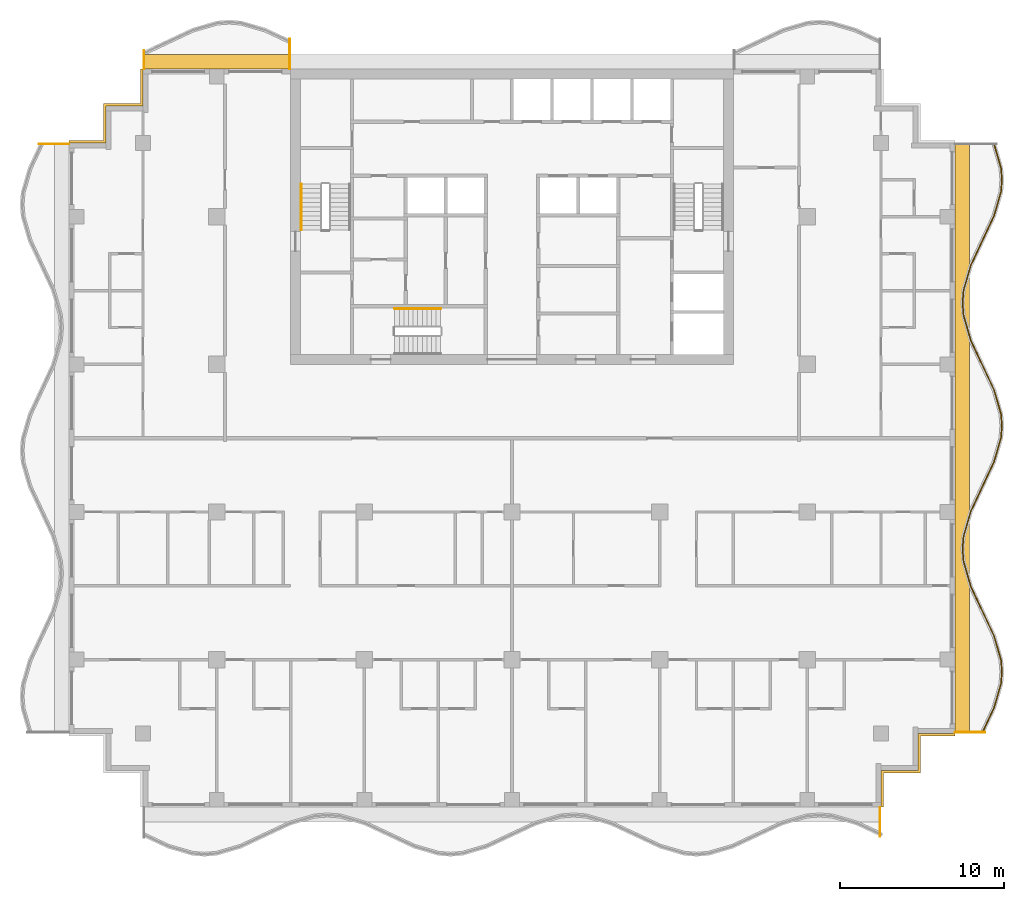
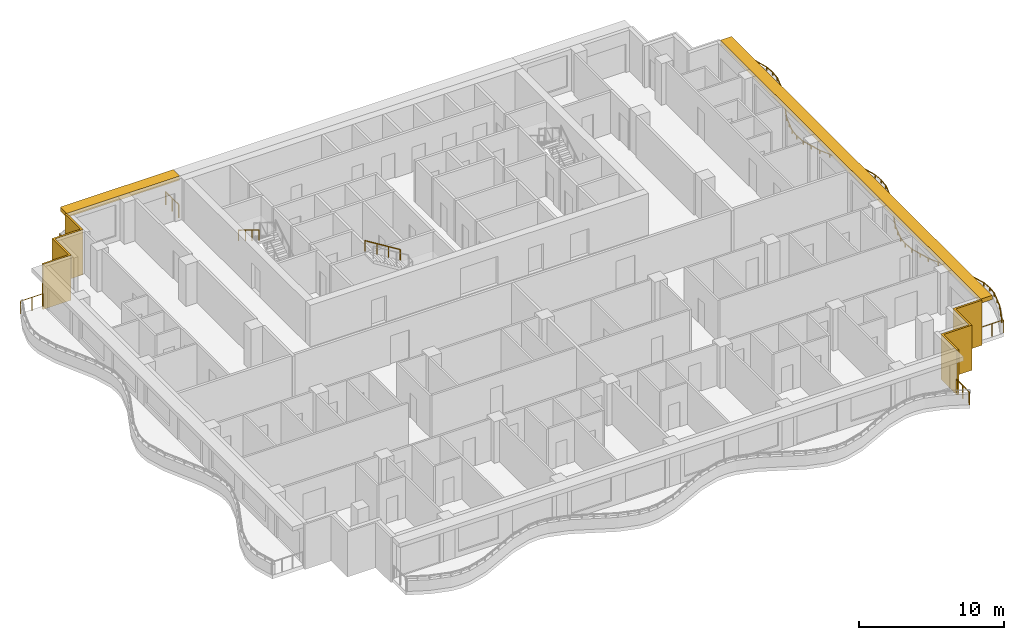
# One storey, part 10 of 11: 8 railings, 4 shading devices.
"""IFC4 building model written with IfcOpenShell, lengths in metres."""

from ifc_helpers import new_model, si_unit, direction, frame, origin, origin_2d, place, context, subcontext, project, spatial, polyline, rectangle, circle, outline, extrude, material, layer, layer_set, type_object, element, save


model = new_model("IFC4")

# Units and contexts
model_context = context("Model", 3, precision=1e-05, world=origin(), true_north=direction((0.0, 1.0)))
body_context = subcontext(model_context, "Body", "Model", "MODEL_VIEW")
ifc_project = project(units=[si_unit("LENGTHUNIT", "METRE"), si_unit("AREAUNIT", "SQUARE_METRE"), si_unit("VOLUMEUNIT", "CUBIC_METRE"), si_unit("PLANEANGLEUNIT", "RADIAN"), si_unit("MASSUNIT", "GRAM", prefix="KILO")], contexts=[model_context])

# Site, building, storey
site_placement = place(None, origin())
site = spatial("IfcSite", under=ifc_project, at=site_placement, CompositionType="ELEMENT")
building_placement = place(site_placement, origin())
building = spatial("IfcBuilding", under=site, at=building_placement, Name="Orbiselva Terraces", CompositionType="ELEMENT")
storey_placement = place(building_placement, frame((0.0, 0.0, 242.6)))
storey = spatial("IfcBuildingStorey", under=building, at=storey_placement, Name="L61", CompositionType="ELEMENT", Elevation=242.6)

# Railings
ifc_material_1 = material(Name="Stainless steel", Category="steel")
railing_type_1 = type_object("IfcRailingType", Name="CORE-HANDRAIL-900", PredefinedType="HANDRAIL", material=ifc_material_1)
railing_1_placement = place(storey_placement, frame((-12.85, 15.5, 2.072727)))
element("IfcRailing", 1, at=railing_1_placement, inside=storey, type_object=railing_type_1, Name="L61 S1 stair handrail 2", PredefinedType="HANDRAIL", context=body_context, shape_type="SweptSolid", body=[
    extrude(circle(Radius=0.024, at=origin_2d()), frame((0.0, 0.0, 0.876), z_axis=(0.0, -0.851088519012, 0.52502222125), x_axis=(1.0, 0.0, 0.0)), (0.0, 0.0, 1.0), 3.289905),
    extrude(circle(Radius=0.021, at=origin_2d()), origin(), (0.0, 0.0, 1.0), 0.852),
    extrude(circle(Radius=0.021, at=origin_2d()), frame((0.0, -0.933333, 0.575758)), (0.0, 0.0, 1.0), 0.852),
    extrude(circle(Radius=0.021, at=origin_2d()), frame((0.0, -1.866667, 1.151515)), (0.0, 0.0, 1.0), 0.852),
    extrude(circle(Radius=0.021, at=origin_2d()), frame((0.0, -2.8, 1.727273)), (0.0, 0.0, 1.0), 0.852),
])
railing_2_placement = place(storey_placement, frame((-4.35, 7.9, 2.072727)))
element("IfcRailing", 2, at=railing_2_placement, inside=storey, type_object=railing_type_1, Name="L61 S3 stair handrail 2", PredefinedType="HANDRAIL", context=body_context, shape_type="SweptSolid", body=[
    extrude(circle(Radius=0.024, at=origin_2d()), frame((0.0, 0.0, 0.876), z_axis=(-0.851088519012, 0.0, 0.52502222125), x_axis=(0.0, -1.0, 0.0)), (0.0, 0.0, 1.0), 3.289905),
    extrude(circle(Radius=0.021, at=origin_2d()), origin(), (0.0, 0.0, 1.0), 0.852),
    extrude(circle(Radius=0.021, at=origin_2d()), frame((-0.933333, 0.0, 0.575758)), (0.0, 0.0, 1.0), 0.852),
    extrude(circle(Radius=0.021, at=origin_2d()), frame((-1.866667, 0.0, 1.151515)), (0.0, 0.0, 1.0), 0.852),
    extrude(circle(Radius=0.021, at=origin_2d()), frame((-2.8, 0.0, 1.727273)), (0.0, 0.0, 1.0), 0.852),
])
ifc_material_2 = material(Name="Bonded two-ply safety glass balustrade, stainless steel posts", Category="steel")
railing_type_2 = type_object("IfcRailingType", Name="ENV-BALUSTRADE-1200", PredefinedType="BALUSTRADE", material=ifc_material_2)
railing_3_placement = place(storey_placement, frame((28.686882, -17.946809, 0.9)))
element("IfcRailing", 3, at=railing_3_placement, inside=storey, type_object=railing_type_2, Name="Balcony balustrade L61 E", PredefinedType="BALUSTRADE", context=body_context, shape_type="SweptSolid", body=[
    extrude(outline(polyline([(0.028868, 0.0), (0.014434, 0.025), (-0.014434, 0.025), (-0.028868, 0.0), (-0.014434, -0.025), (0.014434, -0.025), (0.028868, 0.0)])), frame((0.0, 0.0, 0.275), z_axis=(0.425529912322, 0.904944359461, 0.0), x_axis=(-0.904944359461, 0.425529912322, 0.0)), (0.0, 0.0, 1.0), 1.647746),
    extrude(outline(polyline([(0.028868, 0.0), (0.014434, 0.025), (-0.014434, 0.025), (-0.028868, 0.0), (-0.014434, -0.025), (0.014434, -0.025), (0.028868, 0.0)])), frame((0.701165, 1.491118, 0.275), z_axis=(0.279071528957, 0.960270317007, 0.0), x_axis=(-0.960270317007, 0.279071528957, 0.0)), (0.0, 0.0, 1.0), 1.539408),
    extrude(outline(polyline([(0.028868, 0.0), (0.014434, 0.025), (-0.014434, 0.025), (-0.028868, 0.0), (-0.014434, -0.025), (0.014434, -0.025), (0.028868, 0.0)])), frame((1.13077, 2.969366, 0.275), z_axis=(0.078069536776, 0.996947916106, 0.0), x_axis=(-0.996947916106, 0.078069536776, 0.0)), (0.0, 0.0, 1.0), 0.72967),
    extrude(outline(polyline([(0.028868, 0.0), (0.014434, 0.025), (-0.014434, 0.025), (-0.028868, 0.0), (-0.014434, -0.025), (0.014434, -0.025), (0.028868, 0.0)])), frame((1.187735, 3.696809, 0.275), z_axis=(-0.078069536776, 0.996947916106, 0.0), x_axis=(-0.996947916106, -0.078069536776, 0.0)), (0.0, 0.0, 1.0), 0.72967),
    extrude(outline(polyline([(0.028868, 0.0), (0.014434, 0.025), (-0.014434, 0.025), (-0.028868, 0.0), (-0.014434, -0.025), (0.014434, -0.025), (0.028868, 0.0)])), frame((1.13077, 4.424252, 0.275), z_axis=(-0.279071528957, 0.960270317007, 0.0), x_axis=(-0.960270317007, -0.279071528957, 0.0)), (0.0, 0.0, 1.0), 1.539408),
    extrude(outline(polyline([(0.028868, 0.0), (0.014434, 0.025), (-0.014434, 0.025), (-0.028868, 0.0), (-0.014434, -0.025), (0.014434, -0.025), (0.028868, 0.0)])), frame((0.701165, 5.9025, 0.275), z_axis=(-0.425529912322, 0.904944359461, 0.0), x_axis=(-0.904944359461, -0.425529912322, 0.0)), (0.0, 0.0, 1.0), 1.647746),
    extrude(outline(polyline([(0.028868, 0.0), (0.014434, 0.025), (-0.014434, 0.025), (-0.028868, 0.0), (-0.014434, -0.025), (0.014434, -0.025), (0.028868, 0.0)])), frame((0.0, 7.393618, 0.275), z_axis=(-0.425530342069, 0.904944157382, 0.0), x_axis=(-0.904944157382, -0.425530342069, 0.0)), (0.0, 0.0, 1.0), 1.667376),
    extrude(outline(polyline([(0.028868, 0.0), (0.014434, 0.025), (-0.014434, 0.025), (-0.028868, 0.0), (-0.014434, -0.025), (0.014434, -0.025), (0.028868, 0.0)])), frame((-0.709519, 8.9025, 0.275), z_axis=(-0.279070928786, 0.960270491427, 0.0), x_axis=(-0.960270491427, -0.279070928786, 0.0)), (0.0, 0.0, 1.0), 1.584712),
    extrude(outline(polyline([(0.028868, 0.0), (0.014434, 0.025), (-0.014434, 0.025), (-0.028868, 0.0), (-0.014434, -0.025), (0.014434, -0.025), (0.028868, 0.0)])), frame((-1.151766, 10.424252, 0.275), z_axis=(-0.078071061106, 0.996947796737, 0.0), x_axis=(-0.996947796737, -0.078071061106, 0.0)), (0.0, 0.0, 1.0), 0.774922),
    extrude(outline(polyline([(0.028868, 0.0), (0.014434, 0.025), (-0.014434, 0.025), (-0.028868, 0.0), (-0.014434, -0.025), (0.014434, -0.025), (0.028868, 0.0)])), frame((-1.212265, 11.196809, 0.275), z_axis=(0.078071061106, 0.996947796737, 0.0), x_axis=(-0.996947796737, 0.078071061106, 0.0)), (0.0, 0.0, 1.0), 0.774922),
    extrude(outline(polyline([(0.028868, 0.0), (0.014434, 0.025), (-0.014434, 0.025), (-0.028868, 0.0), (-0.014434, -0.025), (0.014434, -0.025), (0.028868, 0.0)])), frame((-1.151766, 11.969366, 0.275), z_axis=(0.279070928786, 0.960270491427, 0.0), x_axis=(-0.960270491427, 0.279070928786, 0.0)), (0.0, 0.0, 1.0), 1.584712),
    extrude(outline(polyline([(0.028868, 0.0), (0.014434, 0.025), (-0.014434, 0.025), (-0.028868, 0.0), (-0.014434, -0.025), (0.014434, -0.025), (0.028868, 0.0)])), frame((-0.709519, 13.491118, 0.275), z_axis=(0.425530342069, 0.904944157382, 0.0), x_axis=(-0.904944157382, 0.425530342069, 0.0)), (0.0, 0.0, 1.0), 1.667376),
    extrude(outline(polyline([(0.028868, 0.0), (0.014434, 0.025), (-0.014434, 0.025), (-0.028868, 0.0), (-0.014434, -0.025), (0.014434, -0.025), (0.028868, 0.0)])), frame((0.0, 15.0, 0.275), z_axis=(0.425529912322, 0.904944359461, 0.0), x_axis=(-0.904944359461, 0.425529912322, 0.0)), (0.0, 0.0, 1.0), 1.647746),
    extrude(outline(polyline([(0.028868, 0.0), (0.014434, 0.025), (-0.014434, 0.025), (-0.028868, 0.0), (-0.014434, -0.025), (0.014434, -0.025), (0.028868, 0.0)])), frame((0.701165, 16.491118, 0.275), z_axis=(0.279071528957, 0.960270317007, 0.0), x_axis=(-0.960270317007, 0.279071528957, 0.0)), (0.0, 0.0, 1.0), 1.539408),
    extrude(outline(polyline([(0.028868, 0.0), (0.014434, 0.025), (-0.014434, 0.025), (-0.028868, 0.0), (-0.014434, -0.025), (0.014434, -0.025), (0.028868, 0.0)])), frame((1.13077, 17.969366, 0.275), z_axis=(0.078069536776, 0.996947916106, 0.0), x_axis=(-0.996947916106, 0.078069536776, 0.0)), (0.0, 0.0, 1.0), 0.72967),
    extrude(outline(polyline([(0.028868, 0.0), (0.014434, 0.025), (-0.014434, 0.025), (-0.028868, 0.0), (-0.014434, -0.025), (0.014434, -0.025), (0.028868, 0.0)])), frame((1.187735, 18.696809, 0.275), z_axis=(-0.078069536776, 0.996947916106, 0.0), x_axis=(-0.996947916106, -0.078069536776, 0.0)), (0.0, 0.0, 1.0), 0.72967),
    extrude(outline(polyline([(0.028868, 0.0), (0.014434, 0.025), (-0.014434, 0.025), (-0.028868, 0.0), (-0.014434, -0.025), (0.014434, -0.025), (0.028868, 0.0)])), frame((1.13077, 19.424252, 0.275), z_axis=(-0.279071528957, 0.960270317007, 0.0), x_axis=(-0.960270317007, -0.279071528957, 0.0)), (0.0, 0.0, 1.0), 1.539408),
    extrude(outline(polyline([(0.028868, 0.0), (0.014434, 0.025), (-0.014434, 0.025), (-0.028868, 0.0), (-0.014434, -0.025), (0.014434, -0.025), (0.028868, 0.0)])), frame((0.701165, 20.9025, 0.275), z_axis=(-0.425529912322, 0.904944359461, 0.0), x_axis=(-0.904944359461, -0.425529912322, 0.0)), (0.0, 0.0, 1.0), 1.647746),
    extrude(outline(polyline([(0.028868, 0.0), (0.014434, 0.025), (-0.014434, 0.025), (-0.028868, 0.0), (-0.014434, -0.025), (0.014434, -0.025), (0.028868, 0.0)])), frame((0.0, 22.393618, 0.275), z_axis=(-0.425530342069, 0.904944157382, 0.0), x_axis=(-0.904944157382, -0.425530342069, 0.0)), (0.0, 0.0, 1.0), 1.667376),
    extrude(outline(polyline([(0.028868, 0.0), (0.014434, 0.025), (-0.014434, 0.025), (-0.028868, 0.0), (-0.014434, -0.025), (0.014434, -0.025), (0.028868, 0.0)])), frame((-0.709519, 23.9025, 0.275), z_axis=(-0.279070928786, 0.960270491427, 0.0), x_axis=(-0.960270491427, -0.279070928786, 0.0)), (0.0, 0.0, 1.0), 1.584712),
    extrude(outline(polyline([(0.028868, 0.0), (0.014434, 0.025), (-0.014434, 0.025), (-0.028868, 0.0), (-0.014434, -0.025), (0.014434, -0.025), (0.028868, 0.0)])), frame((-1.151766, 25.424252, 0.275), z_axis=(-0.078071061106, 0.996947796737, 0.0), x_axis=(-0.996947796737, -0.078071061106, 0.0)), (0.0, 0.0, 1.0), 0.774922),
    extrude(outline(polyline([(0.028868, 0.0), (0.014434, 0.025), (-0.014434, 0.025), (-0.028868, 0.0), (-0.014434, -0.025), (0.014434, -0.025), (0.028868, 0.0)])), frame((-1.212265, 26.196809, 0.275), z_axis=(0.078071061106, 0.996947796737, 0.0), x_axis=(-0.996947796737, 0.078071061106, 0.0)), (0.0, 0.0, 1.0), 0.774922),
    extrude(outline(polyline([(0.028868, 0.0), (0.014434, 0.025), (-0.014434, 0.025), (-0.028868, 0.0), (-0.014434, -0.025), (0.014434, -0.025), (0.028868, 0.0)])), frame((-1.151766, 26.969366, 0.275), z_axis=(0.279070928786, 0.960270491427, 0.0), x_axis=(-0.960270491427, 0.279070928786, 0.0)), (0.0, 0.0, 1.0), 1.584712),
    extrude(outline(polyline([(0.028868, 0.0), (0.014434, 0.025), (-0.014434, 0.025), (-0.028868, 0.0), (-0.014434, -0.025), (0.014434, -0.025), (0.028868, 0.0)])), frame((-0.709519, 28.491118, 0.275), z_axis=(0.425530342069, 0.904944157382, 0.0), x_axis=(-0.904944157382, 0.425530342069, 0.0)), (0.0, 0.0, 1.0), 1.667376),
    extrude(outline(polyline([(0.028868, 0.0), (0.014434, 0.025), (-0.014434, 0.025), (-0.028868, 0.0), (-0.014434, -0.025), (0.014434, -0.025), (0.028868, 0.0)])), frame((0.0, 30.0, 0.275), z_axis=(0.425529912322, 0.904944359461, 0.0), x_axis=(-0.904944359461, 0.425529912322, 0.0)), (0.0, 0.0, 1.0), 1.647746),
    extrude(outline(polyline([(0.028868, 0.0), (0.014434, 0.025), (-0.014434, 0.025), (-0.028868, 0.0), (-0.014434, -0.025), (0.014434, -0.025), (0.028868, 0.0)])), frame((0.701165, 31.491118, 0.275), z_axis=(0.279071528957, 0.960270317007, 0.0), x_axis=(-0.960270317007, 0.279071528957, 0.0)), (0.0, 0.0, 1.0), 1.539408),
    extrude(outline(polyline([(0.028868, 0.0), (0.014434, 0.025), (-0.014434, 0.025), (-0.028868, 0.0), (-0.014434, -0.025), (0.014434, -0.025), (0.028868, 0.0)])), frame((1.13077, 32.969366, 0.275), z_axis=(0.078069536776, 0.996947916106, 0.0), x_axis=(-0.996947916106, 0.078069536776, 0.0)), (0.0, 0.0, 1.0), 0.72967),
    extrude(outline(polyline([(0.028868, 0.0), (0.014434, 0.025), (-0.014434, 0.025), (-0.028868, 0.0), (-0.014434, -0.025), (0.014434, -0.025), (0.028868, 0.0)])), frame((1.187735, 33.696809, 0.275), z_axis=(-0.078069536776, 0.996947916106, 0.0), x_axis=(-0.996947916106, -0.078069536776, 0.0)), (0.0, 0.0, 1.0), 0.72967),
    extrude(outline(polyline([(0.028868, 0.0), (0.014434, 0.025), (-0.014434, 0.025), (-0.028868, 0.0), (-0.014434, -0.025), (0.014434, -0.025), (0.028868, 0.0)])), frame((1.13077, 34.424252, 0.275), z_axis=(-0.279071486336, 0.960270329394, 0.0), x_axis=(-0.960270329394, -0.279071486336, 0.0)), (0.0, 0.0, 1.0), 1.549223),
    extrude(rectangle(XDim=0.05, YDim=0.05, at=origin_2d()), origin(), (0.0, 0.0, 1.0), 0.25),
    extrude(rectangle(XDim=0.05, YDim=0.05, at=origin_2d()), frame((0.350582, 0.745559, 0.0)), (0.0, 0.0, 1.0), 0.25),
    extrude(rectangle(XDim=0.05, YDim=0.05, at=origin_2d()), frame((0.701165, 1.491118, 0.0)), (0.0, 0.0, 1.0), 0.25),
    extrude(rectangle(XDim=0.05, YDim=0.05, at=origin_2d()), frame((0.915967, 2.230242, 0.0)), (0.0, 0.0, 1.0), 0.25),
    extrude(rectangle(XDim=0.05, YDim=0.05, at=origin_2d()), frame((1.13077, 2.969366, 0.0)), (0.0, 0.0, 1.0), 0.25),
    extrude(rectangle(XDim=0.05, YDim=0.05, at=origin_2d()), frame((1.187735, 3.696809, 0.0)), (0.0, 0.0, 1.0), 0.25),
    extrude(rectangle(XDim=0.05, YDim=0.05, at=origin_2d()), frame((1.13077, 4.424252, 0.0)), (0.0, 0.0, 1.0), 0.25),
    extrude(rectangle(XDim=0.05, YDim=0.05, at=origin_2d()), frame((0.915967, 5.163376, 0.0)), (0.0, 0.0, 1.0), 0.25),
    extrude(rectangle(XDim=0.05, YDim=0.05, at=origin_2d()), frame((0.701165, 5.9025, 0.0)), (0.0, 0.0, 1.0), 0.25),
    extrude(rectangle(XDim=0.05, YDim=0.05, at=origin_2d()), frame((0.350582, 6.648059, 0.0)), (0.0, 0.0, 1.0), 0.25),
    extrude(rectangle(XDim=0.05, YDim=0.05, at=origin_2d()), frame((0.0, 7.393618, 0.0)), (0.0, 0.0, 1.0), 0.25),
    extrude(rectangle(XDim=0.05, YDim=0.05, at=origin_2d()), frame((-0.35476, 8.148059, 0.0)), (0.0, 0.0, 1.0), 0.25),
    extrude(rectangle(XDim=0.05, YDim=0.05, at=origin_2d()), frame((-0.709519, 8.9025, 0.0)), (0.0, 0.0, 1.0), 0.25),
    extrude(rectangle(XDim=0.05, YDim=0.05, at=origin_2d()), frame((-0.930643, 9.663376, 0.0)), (0.0, 0.0, 1.0), 0.25),
    extrude(rectangle(XDim=0.05, YDim=0.05, at=origin_2d()), frame((-1.151766, 10.424252, 0.0)), (0.0, 0.0, 1.0), 0.25),
    extrude(rectangle(XDim=0.05, YDim=0.05, at=origin_2d()), frame((-1.212265, 11.196809, 0.0)), (0.0, 0.0, 1.0), 0.25),
    extrude(rectangle(XDim=0.05, YDim=0.05, at=origin_2d()), frame((-1.151766, 11.969366, 0.0)), (0.0, 0.0, 1.0), 0.25),
    extrude(rectangle(XDim=0.05, YDim=0.05, at=origin_2d()), frame((-0.930643, 12.730242, 0.0)), (0.0, 0.0, 1.0), 0.25),
    extrude(rectangle(XDim=0.05, YDim=0.05, at=origin_2d()), frame((-0.709519, 13.491118, 0.0)), (0.0, 0.0, 1.0), 0.25),
    extrude(rectangle(XDim=0.05, YDim=0.05, at=origin_2d()), frame((-0.35476, 14.245559, 0.0)), (0.0, 0.0, 1.0), 0.25),
    extrude(rectangle(XDim=0.05, YDim=0.05, at=origin_2d()), frame((0.0, 15.0, 0.0)), (0.0, 0.0, 1.0), 0.25),
    extrude(rectangle(XDim=0.05, YDim=0.05, at=origin_2d()), frame((0.350582, 15.745559, 0.0)), (0.0, 0.0, 1.0), 0.25),
    extrude(rectangle(XDim=0.05, YDim=0.05, at=origin_2d()), frame((0.701165, 16.491118, 0.0)), (0.0, 0.0, 1.0), 0.25),
    extrude(rectangle(XDim=0.05, YDim=0.05, at=origin_2d()), frame((0.915967, 17.230242, 0.0)), (0.0, 0.0, 1.0), 0.25),
    extrude(rectangle(XDim=0.05, YDim=0.05, at=origin_2d()), frame((1.13077, 17.969366, 0.0)), (0.0, 0.0, 1.0), 0.25),
    extrude(rectangle(XDim=0.05, YDim=0.05, at=origin_2d()), frame((1.187735, 18.696809, 0.0)), (0.0, 0.0, 1.0), 0.25),
    extrude(rectangle(XDim=0.05, YDim=0.05, at=origin_2d()), frame((1.13077, 19.424252, 0.0)), (0.0, 0.0, 1.0), 0.25),
    extrude(rectangle(XDim=0.05, YDim=0.05, at=origin_2d()), frame((0.915967, 20.163376, 0.0)), (0.0, 0.0, 1.0), 0.25),
    extrude(rectangle(XDim=0.05, YDim=0.05, at=origin_2d()), frame((0.701165, 20.9025, 0.0)), (0.0, 0.0, 1.0), 0.25),
    extrude(rectangle(XDim=0.05, YDim=0.05, at=origin_2d()), frame((0.350582, 21.648059, 0.0)), (0.0, 0.0, 1.0), 0.25),
    extrude(rectangle(XDim=0.05, YDim=0.05, at=origin_2d()), frame((0.0, 22.393618, 0.0)), (0.0, 0.0, 1.0), 0.25),
    extrude(rectangle(XDim=0.05, YDim=0.05, at=origin_2d()), frame((-0.35476, 23.148059, 0.0)), (0.0, 0.0, 1.0), 0.25),
    extrude(rectangle(XDim=0.05, YDim=0.05, at=origin_2d()), frame((-0.709519, 23.9025, 0.0)), (0.0, 0.0, 1.0), 0.25),
    extrude(rectangle(XDim=0.05, YDim=0.05, at=origin_2d()), frame((-0.930643, 24.663376, 0.0)), (0.0, 0.0, 1.0), 0.25),
    extrude(rectangle(XDim=0.05, YDim=0.05, at=origin_2d()), frame((-1.151766, 25.424252, 0.0)), (0.0, 0.0, 1.0), 0.25),
    extrude(rectangle(XDim=0.05, YDim=0.05, at=origin_2d()), frame((-1.212265, 26.196809, 0.0)), (0.0, 0.0, 1.0), 0.25),
    extrude(rectangle(XDim=0.05, YDim=0.05, at=origin_2d()), frame((-1.151766, 26.969366, 0.0)), (0.0, 0.0, 1.0), 0.25),
    extrude(rectangle(XDim=0.05, YDim=0.05, at=origin_2d()), frame((-0.930643, 27.730242, 0.0)), (0.0, 0.0, 1.0), 0.25),
    extrude(rectangle(XDim=0.05, YDim=0.05, at=origin_2d()), frame((-0.709519, 28.491118, 0.0)), (0.0, 0.0, 1.0), 0.25),
    extrude(rectangle(XDim=0.05, YDim=0.05, at=origin_2d()), frame((-0.35476, 29.245559, 0.0)), (0.0, 0.0, 1.0), 0.25),
    extrude(rectangle(XDim=0.05, YDim=0.05, at=origin_2d()), frame((0.0, 30.0, 0.0)), (0.0, 0.0, 1.0), 0.25),
    extrude(rectangle(XDim=0.05, YDim=0.05, at=origin_2d()), frame((0.350582, 30.745559, 0.0)), (0.0, 0.0, 1.0), 0.25),
    extrude(rectangle(XDim=0.05, YDim=0.05, at=origin_2d()), frame((0.701165, 31.491118, 0.0)), (0.0, 0.0, 1.0), 0.25),
    extrude(rectangle(XDim=0.05, YDim=0.05, at=origin_2d()), frame((0.915967, 32.230242, 0.0)), (0.0, 0.0, 1.0), 0.25),
    extrude(rectangle(XDim=0.05, YDim=0.05, at=origin_2d()), frame((1.13077, 32.969366, 0.0)), (0.0, 0.0, 1.0), 0.25),
    extrude(rectangle(XDim=0.05, YDim=0.05, at=origin_2d()), frame((1.187735, 33.696809, 0.0)), (0.0, 0.0, 1.0), 0.25),
    extrude(rectangle(XDim=0.05, YDim=0.05, at=origin_2d()), frame((1.13077, 34.424252, 0.0)), (0.0, 0.0, 1.0), 0.25),
    extrude(rectangle(XDim=0.05, YDim=0.05, at=origin_2d()), frame((0.914598, 35.168088, 0.0)), (0.0, 0.0, 1.0), 0.25),
    extrude(rectangle(XDim=0.05, YDim=0.05, at=origin_2d()), frame((0.698426, 35.911925, 0.0)), (0.0, 0.0, 1.0), 0.25),
])
ifc_material_3 = material(Name="Stainless steel rail and posts", Category="steel")
railing_type_3 = type_object("IfcRailingType", Name="ENV-GUARD-1105", PredefinedType="BALUSTRADE", material=ifc_material_3)
railing_4_placement = place(storey_placement, frame((22.44, -24.269844, 0.0)))
element("IfcRailing", 4, at=railing_4_placement, inside=storey, type_object=railing_type_3, Name="Balcony end guard L61 S", PredefinedType="BALUSTRADE", context=body_context, shape_type="SweptSolid", body=[
    extrude(outline(polyline([(0.028868, 0.0), (0.014434, 0.025), (-0.014434, 0.025), (-0.028868, 0.0), (-0.014434, -0.025), (0.014434, -0.025), (0.028868, 0.0)])), frame((0.0, 0.0, 1.08), z_axis=(0.0, 1.0, 0.0), x_axis=(-1.0, 0.0, 0.0)), (0.0, 0.0, 1.0), 1.744844),
    extrude(rectangle(XDim=0.05, YDim=0.05, at=origin_2d()), origin(), (0.0, 0.0, 1.0), 1.055),
    extrude(rectangle(XDim=0.05, YDim=0.05, at=origin_2d()), frame((0.0, 0.872422, 0.0)), (0.0, 0.0, 1.0), 1.055),
    extrude(rectangle(XDim=0.05, YDim=0.05, at=origin_2d()), frame((0.0, 1.744844, 0.0)), (0.0, 0.0, 1.0), 1.055),
])
railing_5_placement = place(storey_placement, frame((28.830156, -17.94, 0.0)))
element("IfcRailing", 5, at=railing_5_placement, inside=storey, type_object=railing_type_3, Name="Balcony end guard L61 E", PredefinedType="BALUSTRADE", context=body_context, shape_type="SweptSolid", body=[
    extrude(outline(polyline([(0.028868, 0.0), (0.014434, 0.025), (-0.014434, 0.025), (-0.028868, 0.0), (-0.014434, -0.025), (0.014434, -0.025), (0.028868, 0.0)])), frame((0.0, 0.0, 1.08), z_axis=(-1.0, 0.0, 0.0), x_axis=(0.0, -1.0, 0.0)), (0.0, 0.0, 1.0), 1.805156),
    extrude(rectangle(XDim=0.05, YDim=0.05, at=origin_2d()), origin(), (0.0, 0.0, 1.0), 1.055),
    extrude(rectangle(XDim=0.05, YDim=0.05, at=origin_2d()), frame((-0.902578, 0.0, 0.0)), (0.0, 0.0, 1.0), 1.055),
    extrude(rectangle(XDim=0.05, YDim=0.05, at=origin_2d()), frame((-1.805156, 0.0, 0.0)), (0.0, 0.0, 1.0), 1.055),
])
railing_6_placement = place(storey_placement, frame((-13.56, 24.330156, 0.0)))
element("IfcRailing", 6, at=railing_6_placement, inside=storey, type_object=railing_type_3, Name="Balcony end guard L61 NW", PredefinedType="BALUSTRADE", context=body_context, shape_type="SweptSolid", body=[
    extrude(outline(polyline([(0.028868, 0.0), (0.014434, 0.025), (-0.014434, 0.025), (-0.028868, 0.0), (-0.014434, -0.025), (0.014434, -0.025), (0.028868, 0.0)])), frame((0.0, 0.0, 1.08), z_axis=(0.0, -1.0, 0.0), x_axis=(1.0, 0.0, 0.0)), (0.0, 0.0, 1.0), 1.805156),
    extrude(rectangle(XDim=0.05, YDim=0.05, at=origin_2d()), origin(), (0.0, 0.0, 1.0), 1.055),
    extrude(rectangle(XDim=0.05, YDim=0.05, at=origin_2d()), frame((0.0, -0.902578, 0.0)), (0.0, 0.0, 1.0), 1.055),
    extrude(rectangle(XDim=0.05, YDim=0.05, at=origin_2d()), frame((0.0, -1.805156, 0.0)), (0.0, 0.0, 1.0), 1.055),
])
railing_7_placement = place(storey_placement, frame((-22.44, 23.619277, 0.0)))
element("IfcRailing", 7, at=railing_7_placement, inside=storey, type_object=railing_type_3, Name="Balcony end guard L61 NW", PredefinedType="BALUSTRADE", context=body_context, shape_type="SweptSolid", body=[
    extrude(outline(polyline([(0.028868, 0.0), (0.014434, 0.025), (-0.014434, 0.025), (-0.028868, 0.0), (-0.014434, -0.025), (0.014434, -0.025), (0.028868, 0.0)])), frame((0.0, 0.0, 1.08), z_axis=(0.0, -1.0, 0.0), x_axis=(1.0, 0.0, 0.0)), (0.0, 0.0, 1.0), 1.094277),
    extrude(rectangle(XDim=0.05, YDim=0.05, at=origin_2d()), origin(), (0.0, 0.0, 1.0), 1.055),
    extrude(rectangle(XDim=0.05, YDim=0.05, at=origin_2d()), frame((0.0, -1.094277, 0.0)), (0.0, 0.0, 1.0), 1.055),
])
railing_8_placement = place(storey_placement, frame((-28.830156, 17.94, 0.0)))
element("IfcRailing", 8, at=railing_8_placement, inside=storey, type_object=railing_type_3, Name="Balcony end guard L61 W", PredefinedType="BALUSTRADE", context=body_context, shape_type="SweptSolid", body=[
    extrude(outline(polyline([(0.028868, 0.0), (0.014434, 0.025), (-0.014434, 0.025), (-0.028868, 0.0), (-0.014434, -0.025), (0.014434, -0.025), (0.028868, 0.0)])), frame((0.0, 0.0, 1.08), z_axis=(1.0, 0.0, 0.0), x_axis=(0.0, 1.0, 0.0)), (0.0, 0.0, 1.0), 1.805156),
    extrude(rectangle(XDim=0.05, YDim=0.05, at=origin_2d()), origin(), (0.0, 0.0, 1.0), 1.055),
    extrude(rectangle(XDim=0.05, YDim=0.05, at=origin_2d()), frame((0.902578, 0.0, 0.0)), (0.0, 0.0, 1.0), 1.055),
    extrude(rectangle(XDim=0.05, YDim=0.05, at=origin_2d()), frame((1.805156, 0.0, 0.0)), (0.0, 0.0, 1.0), 1.055),
])

# Shading devices
ifc_material_4 = material(Name="Terracotta louvre screen", Category="masonry")
ifc_layer_1 = layer(ifc_material_4, 0.15)
ifc_layer_set_1 = layer_set([ifc_layer_1], Name="Terracotta louvre screen")
shading_device_type_1 = type_object("IfcShadingDeviceType", Name="ENV-SCREEN-150", PredefinedType="USERDEFINED", material=ifc_layer_set_1)
shading_device_1_placement = place(storey_placement, frame((0.0, 0.0, -0.3)))
element("IfcShadingDevice", 9, at=shading_device_1_placement, inside=storey, type_object=shading_device_type_1, Name="Louvre screen L61 NW", ObjectType="SCREEN", PredefinedType="USERDEFINED", context=body_context, shape_type="SweptSolid", body=[
    extrude(outline(polyline([(-22.65, 22.5), (-22.65, 20.4), (-24.9, 20.4), (-24.9, 18.15), (-27.0, 18.15), (-27.0, 18.0), (-24.75, 18.0), (-24.75, 20.25), (-22.5, 20.25), (-22.5, 22.5), (-22.65, 22.5)])), origin(), (0.0, 0.0, 1.0), 3.8),
])
shading_device_2_placement = place(storey_placement, frame((0.0, 0.0, -0.3)))
element("IfcShadingDevice", 10, at=shading_device_2_placement, inside=storey, type_object=shading_device_type_1, Name="Louvre screen L61 SE", ObjectType="SCREEN", PredefinedType="USERDEFINED", context=body_context, shape_type="SweptSolid", body=[
    extrude(outline(polyline([(22.65, -22.5), (22.65, -20.4), (24.9, -20.4), (24.9, -18.15), (27.0, -18.15), (27.0, -18.0), (24.75, -18.0), (24.75, -20.25), (22.5, -20.25), (22.5, -22.5), (22.65, -22.5)])), origin(), (0.0, 0.0, 1.0), 3.8),
])
ifc_material_5 = material(Name="Terracotta baguette sunshade", Category="masonry")
ifc_layer_2 = layer(ifc_material_5, 0.35)
ifc_layer_set_2 = layer_set([ifc_layer_2], Name="Terracotta baguette sunshade")
shading_device_type_2 = type_object("IfcShadingDeviceType", Name="ENV-SUNSHADE-900x350", PredefinedType="USERDEFINED", material=ifc_layer_set_2)
shading_device_3_placement = place(storey_placement, frame((0.0, 0.0, 3.15)))
element("IfcShadingDevice", 11, at=shading_device_3_placement, inside=storey, type_object=shading_device_type_2, Name="Sunshade band L61 E", ObjectType="SUNSHADE", PredefinedType="USERDEFINED", context=body_context, shape_type="SweptSolid", body=[
    extrude(outline(polyline([(27.9, -18.0), (27.9, 18.0), (27.0, 18.0), (27.0, -18.0), (27.9, -18.0)])), origin(), (0.0, 0.0, 1.0), 0.35),
])
shading_device_4_placement = place(storey_placement, frame((0.0, 0.0, 3.15)))
element("IfcShadingDevice", 12, at=shading_device_4_placement, inside=storey, type_object=shading_device_type_2, Name="Sunshade band L61 NW", ObjectType="SUNSHADE", PredefinedType="USERDEFINED", context=body_context, shape_type="SweptSolid", body=[
    extrude(outline(polyline([(-13.5, 23.4), (-22.5, 23.4), (-22.5, 22.5), (-13.5, 22.5), (-13.5, 23.4)])), origin(), (0.0, 0.0, 1.0), 0.35),
])

save(model, "model.ifc")
